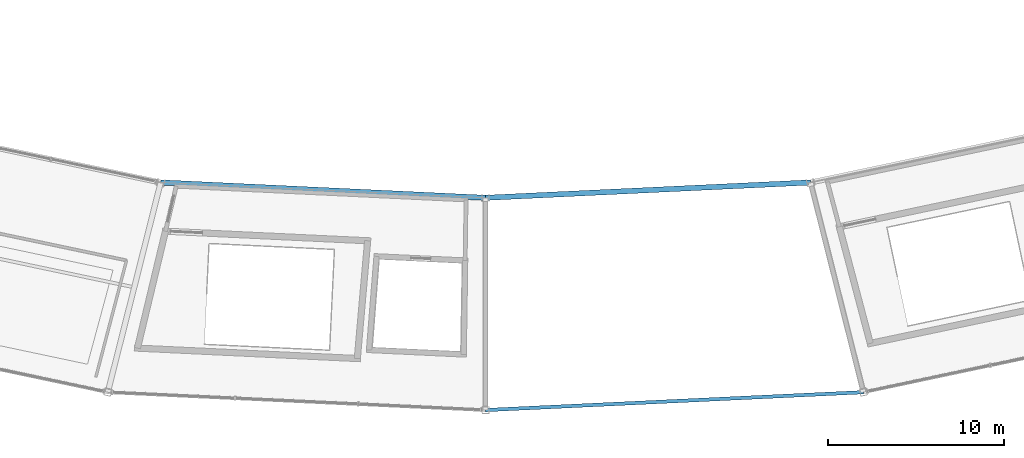
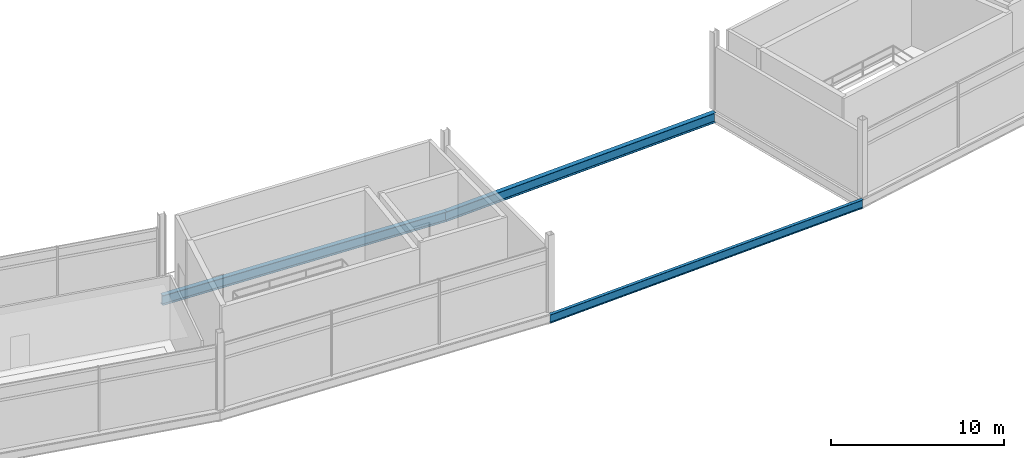
# One storey, part 34 of 86: 3 beams.
"""IFC4 building model written with IfcOpenShell, lengths in metres."""

from ifc_helpers import new_model, si_unit, direction, frame, origin, origin_2d, place, context, subcontext, project, spatial, i_section, extrude, material, material_profile, profile_set, type_object, element, save


model = new_model("IFC4")

# Units and contexts
model_context = context("Model", 3, precision=1e-05, world=origin(), true_north=direction((0.0, 1.0)))
body_context = subcontext(model_context, "Body", "Model", "MODEL_VIEW")
ifc_project = project(units=[si_unit("LENGTHUNIT", "METRE"), si_unit("AREAUNIT", "SQUARE_METRE"), si_unit("VOLUMEUNIT", "CUBIC_METRE"), si_unit("PLANEANGLEUNIT", "RADIAN"), si_unit("MASSUNIT", "GRAM", prefix="KILO")], contexts=[model_context])

# Site, building, storey
site_placement = place(None, origin())
site = spatial("IfcSite", under=ifc_project, at=site_placement, CompositionType="ELEMENT")
building_placement = place(site_placement, origin())
building = spatial("IfcBuilding", under=site, at=building_placement, Name="Kazemori Nagisa Stadium", CompositionType="ELEMENT")
storey_placement = place(building_placement, frame((0.0, 0.0, 31.280029296875)))
storey = spatial("IfcBuildingStorey", under=building, at=storey_placement, Name="L06", CompositionType="ELEMENT", Elevation=31.280029296875)

# Beams
ifc_material = material(Name="Steel SN490B", Category="steel")
ifc_material_profile_1 = material_profile(ifc_material, i_section(OverallWidth=0.300048828125, OverallDepth=0.699951171875, WebThickness=0.012939453125, FlangeThickness=0.02392578125, FilletRadius=0.01806640625, at=origin_2d()), Name="H-700x300x13x24")
ifc_profile_set_1 = profile_set([ifc_material_profile_1], Name="Steel SN490B")
beam_type_1 = type_object("IfcBeamType", Name="Beam_BG-H700", PredefinedType="BEAM", material=ifc_profile_set_1)
for number, where, z_axis, x_axis, name in (
    (1, (104.572265625, 28.911376953125, -0.610107421875), (0.9988839804, -0.047231278829, 0.0), (0.047231278829, 0.9988839804, 0.0), "Ring girder BG-H700 L06 R2-21"),
    (2, (123.0, 28.0400390625, -0.610107421875), (0.9988839804, 0.047231278829, 0.0), (-0.047231278829, 0.9988839804, 0.0), "Ring girder BG-H700 L06 R2-22"),
):
    element("IfcBeam", number, at=place(storey_placement, frame(where, z_axis=z_axis, x_axis=x_axis)), inside=storey, type_object=beam_type_1, Name=name, PredefinedType="BEAM", context=body_context, shape_type="SweptSolid", body=[
        extrude(i_section(OverallWidth=0.300048828125, OverallDepth=0.699951171875, WebThickness=0.012939453125, FlangeThickness=0.02392578125, FilletRadius=0.01806640625, at=origin_2d()), origin(), (0.0, 0.0, 1.0), 18.4482421875),
    ])
ifc_material_profile_2 = material_profile(ifc_material, i_section(OverallWidth=0.199951171875, OverallDepth=0.60009765625, WebThickness=0.010986328125, FlangeThickness=0.01708984375, FilletRadius=0.012939453125, at=origin_2d()), Name="H-600x200x11x17")
ifc_profile_set_2 = profile_set([ifc_material_profile_2], Name="Steel SN490B")
beam_type_2 = type_object("IfcBeamType", Name="Beam_BS-H600", PredefinedType="SPANDREL", material=ifc_profile_set_2)
beam_placement = place(storey_placement, frame((123.0, 16.0, -0.56005859375), z_axis=(0.998883994571, 0.047230979144, 0.0), x_axis=(-0.047230979144, 0.998883994571, 0.0)))
element("IfcBeam", 3, at=beam_placement, inside=storey, type_object=beam_type_2, Name="Ring girder BS-H600 L06 R3-22", PredefinedType="SPANDREL", context=body_context, shape_type="SweptSolid", body=[
    extrude(i_section(OverallWidth=0.199951171875, OverallDepth=0.60009765625, WebThickness=0.010986328125, FlangeThickness=0.01708984375, FilletRadius=0.012939453125, at=origin_2d()), origin(), (0.0, 0.0, 1.0), 21.45166015625),
])

save(model, "model.ifc")
